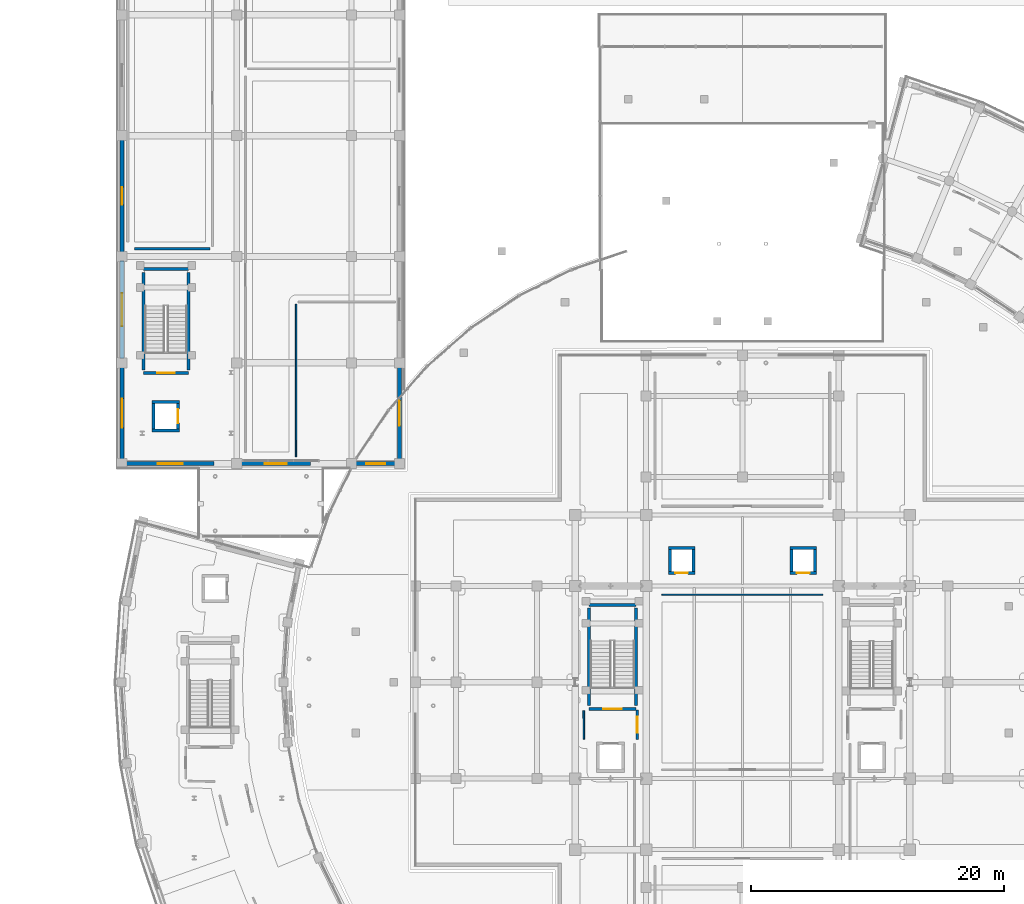
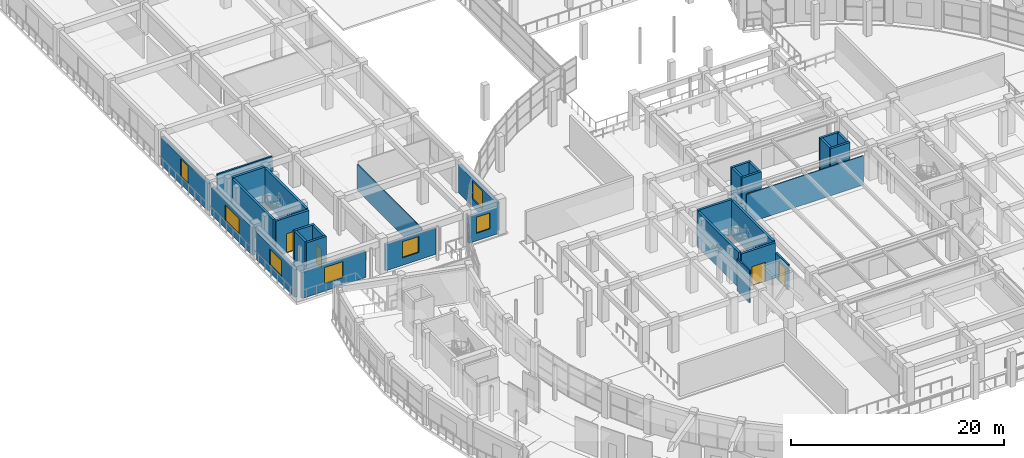
# One storey, part 60 of 87: 32 walls, 7 windows, 6 doors, 13 openings.
"""IFC4 building model written with IfcOpenShell, lengths in metres."""

from ifc_helpers import new_model, si_unit, direction, frame, frame_2d, origin, place, context, subcontext, project, spatial, rectangle, extrude, material, layer, layer_set, type_object, element, fill, save


model = new_model("IFC4")

# Units and contexts
model_context = context("Model", 3, precision=1e-05, world=origin(), true_north=direction((0.0, 1.0)))
body_context = subcontext(model_context, "Body", "Model", "MODEL_VIEW")
ifc_project = project(units=[si_unit("LENGTHUNIT", "METRE"), si_unit("AREAUNIT", "SQUARE_METRE"), si_unit("VOLUMEUNIT", "CUBIC_METRE"), si_unit("PLANEANGLEUNIT", "RADIAN"), si_unit("MASSUNIT", "GRAM", prefix="KILO")], contexts=[model_context])

# Site, building, storey
site_placement = place(None, origin())
site = spatial("IfcSite", under=ifc_project, at=site_placement, CompositionType="ELEMENT")
building_placement = place(site_placement, origin())
building = spatial("IfcBuilding", under=site, at=building_placement, Name="Saryqyr Civic Hall", CompositionType="ELEMENT")
storey_placement = place(building_placement, frame((0.0, 0.0, 5.10009765625)))
storey = spatial("IfcBuildingStorey", under=building, at=storey_placement, Name="L01", CompositionType="ELEMENT", Elevation=5.10009765625)

# Wall, opening, window
ifc_material_1 = material(Name="Precast concrete C40/50", Category="concrete")
ifc_layer_1 = layer(ifc_material_1, 0.31005859375, Name="Precast concrete C40/50")
ifc_layer_set_1 = layer_set([ifc_layer_1], Name="Precast concrete C40/50")
wall_type_1 = type_object("IfcWallType", Name="ENV-WAL-EXT-310", PredefinedType="STANDARD", material=ifc_layer_set_1)
wall_1_placement = place(storey_placement, frame((29.614990234375, 101.25, 0.0), z_axis=(0.0, 0.0, 1.0), x_axis=(-1.0, 0.0, 0.0)))
wall_1 = element("IfcWall", 1, at=wall_1_placement, inside=storey, type_object=wall_type_1, Name="Exterior wall V3-EW-L01-0-0", PredefinedType="STANDARD", context=body_context, shape_type="SweptSolid", body=[
    extrude(rectangle(XDim=3.1298828125, YDim=0.31005859375, at=frame_2d((1.56494140625, 0.0))), origin(), (0.0, 0.0, 1.0), 2.994873046875),
])
opening_1_placement = place(wall_1_placement, frame((0.81494140625, 0.0, 0.85009765625)))
opening_1 = element("IfcOpeningElement", 2, at=opening_1_placement, cuts=wall_1, Name="Opening W-26", PredefinedType="OPENING", context=body_context, shape_type="SweptSolid", body=[
    extrude(rectangle(XDim=1.5, YDim=1.85009765625, at=frame_2d((0.75, 0.925048828125))), frame((0.0, 0.1650390625, 0.0), z_axis=(0.0, -1.0, 0.0), x_axis=(1.0, 0.0, 0.0)), (0.0, 0.0, 1.0), 0.330078125),
])
ifc_material_2 = material(Name="Anodised aluminium and triple low-E glass", Category="aluminium")
window_type_1 = type_object("IfcWindowType", Name="ENV-WIN-W26", PartitioningType="SINGLE_PANEL", PredefinedType="WINDOW", material=ifc_material_2)
window_1_placement = place(opening_1_placement, origin())
window_1 = element("IfcWindow", 3, at=window_1_placement, inside=storey, type_object=window_type_1, Name="Library window L01-0-0", OverallHeight=1.85009765625, OverallWidth=1.5, PartitioningType="SINGLE_PANEL", PredefinedType="WINDOW", context=body_context, shape_type="SweptSolid", body=[
    extrude(rectangle(XDim=1.5, YDim=1.85009765625, at=frame_2d((0.75, 0.925048828125))), frame((0.0, 0.030029296875, 0.0), z_axis=(0.0, -1.0, 0.0), x_axis=(1.0, 0.0, 0.0)), (0.0, 0.0, 1.0), 0.06005859375),
])
fill(opening_1, window_1)

wall_2_placement = place(storey_placement, frame((22.919921875, 101.25, 0.0), z_axis=(0.0, 0.0, 1.0), x_axis=(-1.0, 0.0, 0.0)))
wall_2 = element("IfcWall", 4, at=wall_2_placement, inside=storey, type_object=wall_type_1, Name="Exterior wall V3-EW-L01-0-1", PredefinedType="STANDARD", context=body_context, shape_type="SweptSolid", body=[
    extrude(rectangle(XDim=5.48486328125, YDim=0.31005859375, at=frame_2d((2.742431640625, 0.0))), origin(), (0.0, 0.0, 1.0), 2.994873046875),
])
opening_2_placement = place(wall_2_placement, frame((1.867919921875, 0.0, 0.85009765625)))
opening_2 = element("IfcOpeningElement", 5, at=opening_2_placement, cuts=wall_2, Name="Opening W-27", PredefinedType="OPENING", context=body_context, shape_type="SweptSolid", body=[
    extrude(rectangle(XDim=1.75, YDim=1.85009765625, at=frame_2d((0.875, 0.925048828125))), frame((0.0, 0.1650390625, 0.0), z_axis=(0.0, -1.0, 0.0), x_axis=(1.0, 0.0, 0.0)), (0.0, 0.0, 1.0), 0.330078125),
])
window_type_2 = type_object("IfcWindowType", Name="ENV-WIN-W27", PartitioningType="SINGLE_PANEL", PredefinedType="WINDOW", material=ifc_material_2)
window_2_placement = place(opening_2_placement, origin())
window_2 = element("IfcWindow", 6, at=window_2_placement, inside=storey, type_object=window_type_2, Name="Library window L01-0-1", OverallHeight=1.85009765625, OverallWidth=1.75, PartitioningType="SINGLE_PANEL", PredefinedType="WINDOW", context=body_context, shape_type="SweptSolid", body=[
    extrude(rectangle(XDim=1.75, YDim=1.85009765625, at=frame_2d((0.875, 0.925048828125))), frame((0.0, 0.030029296875, 0.0), z_axis=(0.0, -1.0, 0.0), x_axis=(1.0, 0.0, 0.0)), (0.0, 0.0, 1.0), 0.06005859375),
])
fill(opening_2, window_2)

wall_3_placement = place(storey_placement, frame((15.320068359375, 101.25, 0.0), z_axis=(0.0, 0.0, 1.0), x_axis=(-1.0, 0.0, 0.0)))
wall_3 = element("IfcWall", 7, at=wall_3_placement, inside=storey, type_object=wall_type_1, Name="Exterior wall V3-EW-L01-0-2", PredefinedType="STANDARD", context=body_context, shape_type="SweptSolid", body=[
    extrude(rectangle(XDim=6.93505859375, YDim=0.31005859375, at=frame_2d((3.467529296875, 0.0))), origin(), (0.0, 0.0, 1.0), 2.994873046875),
])
opening_3_placement = place(wall_3_placement, frame((2.468017578125, 0.0, 0.85009765625)))
opening_3 = element("IfcOpeningElement", 8, at=opening_3_placement, cuts=wall_3, Name="Opening W-28", PredefinedType="OPENING", context=body_context, shape_type="SweptSolid", body=[
    extrude(rectangle(XDim=2.0, YDim=1.85009765625, at=frame_2d((1.0, 0.925048828125))), frame((0.0, 0.1650390625, 0.0), z_axis=(0.0, -1.0, 0.0), x_axis=(1.0, 0.0, 0.0)), (0.0, 0.0, 1.0), 0.330078125),
])
window_type_3 = type_object("IfcWindowType", Name="ENV-WIN-W28", PartitioningType="SINGLE_PANEL", PredefinedType="WINDOW", material=ifc_material_2)
window_3_placement = place(opening_3_placement, origin())
window_3 = element("IfcWindow", 9, at=window_3_placement, inside=storey, type_object=window_type_3, Name="Library window L01-0-2", OverallHeight=1.85009765625, OverallWidth=2.0, PartitioningType="SINGLE_PANEL", PredefinedType="WINDOW", context=body_context, shape_type="SweptSolid", body=[
    extrude(rectangle(XDim=2.0, YDim=1.85009765625, at=frame_2d((1.0, 0.925048828125))), frame((0.0, 0.030029296875, 0.0), z_axis=(0.0, -1.0, 0.0), x_axis=(1.0, 0.0, 0.0)), (0.0, 0.0, 1.0), 0.06005859375),
])
fill(opening_3, window_3)

wall_4_placement = place(storey_placement, frame((29.949951171875, 108.864990234375, 0.0), z_axis=(0.0, 0.0, 1.0), x_axis=(0.0, -1.0, 0.0)))
wall_4 = element("IfcWall", 10, at=wall_4_placement, inside=storey, type_object=wall_type_1, Name="Exterior wall V3-EW-L01-1-6", PredefinedType="STANDARD", context=body_context, shape_type="SweptSolid", body=[
    extrude(rectangle(XDim=7.280029296875, YDim=0.31005859375, at=frame_2d((3.64013671875, 0.0))), origin(), (0.0, 0.0, 1.0), 3.14501953125),
])
opening_4_placement = place(wall_4_placement, frame((2.639892578125, 0.0, 0.85009765625)))
opening_4 = element("IfcOpeningElement", 11, at=opening_4_placement, cuts=wall_4, Name="Opening W-33", PredefinedType="OPENING", context=body_context, shape_type="SweptSolid", body=[
    extrude(rectangle(XDim=2.0, YDim=2.050048828125, at=frame_2d((1.0, 1.02490234375))), frame((0.0, 0.1650390625, 0.0), z_axis=(0.0, -1.0, 0.0), x_axis=(1.0, 0.0, 0.0)), (0.0, 0.0, 1.0), 0.330078125),
])
window_type_4 = type_object("IfcWindowType", Name="ENV-WIN-W33", PartitioningType="SINGLE_PANEL", PredefinedType="WINDOW", material=ifc_material_2)
window_4_placement = place(opening_4_placement, origin())
window_4 = element("IfcWindow", 12, at=window_4_placement, inside=storey, type_object=window_type_4, Name="Library window L01-1-6", OverallHeight=2.050048828125, OverallWidth=2.0, PartitioningType="SINGLE_PANEL", PredefinedType="WINDOW", context=body_context, shape_type="SweptSolid", body=[
    extrude(rectangle(XDim=2.0, YDim=2.050048828125, at=frame_2d((1.0, 1.02490234375))), frame((0.0, 0.030029296875, 0.0), z_axis=(0.0, -1.0, 0.0), x_axis=(1.0, 0.0, 0.0)), (0.0, 0.0, 1.0), 0.06005859375),
])
fill(opening_4, window_4)

wall_5_placement = place(storey_placement, frame((8.050048828125, 101.5849609375, 0.0), z_axis=(0.0, 0.0, 1.0), x_axis=(0.0, 1.0, 0.0)))
wall_5 = element("IfcWall", 13, at=wall_5_placement, inside=storey, type_object=wall_type_1, Name="Exterior wall V3-EW-L01-3-0", PredefinedType="STANDARD", context=body_context, shape_type="SweptSolid", body=[
    extrude(rectangle(XDim=7.280029296875, YDim=0.31005859375, at=frame_2d((3.64013671875, 0.0))), origin(), (0.0, 0.0, 1.0), 3.14501953125),
])
opening_5_placement = place(wall_5_placement, frame((2.489990234375, 0.0, 0.85009765625)))
opening_5 = element("IfcOpeningElement", 14, at=opening_5_placement, cuts=wall_5, Name="Opening W-29", PredefinedType="OPENING", context=body_context, shape_type="SweptSolid", body=[
    extrude(rectangle(XDim=2.300048828125, YDim=1.85009765625, at=frame_2d((1.14990234375, 0.925048828125))), frame((0.0, 0.1650390625, 0.0), z_axis=(0.0, -1.0, 0.0), x_axis=(1.0, 0.0, 0.0)), (0.0, 0.0, 1.0), 0.330078125),
])
window_type_5 = type_object("IfcWindowType", Name="ENV-WIN-W29", PartitioningType="SINGLE_PANEL", PredefinedType="WINDOW", material=ifc_material_2)
window_5_placement = place(opening_5_placement, origin())
window_5 = element("IfcWindow", 15, at=window_5_placement, inside=storey, type_object=window_type_5, Name="Library window L01-3-0", OverallHeight=1.85009765625, OverallWidth=2.300048828125, PartitioningType="SINGLE_PANEL", PredefinedType="WINDOW", context=body_context, shape_type="SweptSolid", body=[
    extrude(rectangle(XDim=2.300048828125, YDim=1.85009765625, at=frame_2d((1.14990234375, 0.925048828125))), frame((0.0, 0.030029296875, 0.0), z_axis=(0.0, -1.0, 0.0), x_axis=(1.0, 0.0, 0.0)), (0.0, 0.0, 1.0), 0.06005859375),
])
fill(opening_5, window_5)

wall_6_placement = place(storey_placement, frame((8.050048828125, 109.534912109375, 0.0), z_axis=(0.0, 0.0, 1.0), x_axis=(0.0, 1.0, 0.0)))
wall_6 = element("IfcWall", 16, at=wall_6_placement, inside=storey, type_object=wall_type_1, Name="Exterior wall V3-EW-L01-3-1", PredefinedType="STANDARD", context=body_context, shape_type="SweptSolid", body=[
    extrude(rectangle(XDim=7.72998046875, YDim=0.31005859375, at=frame_2d((3.864990234375, 0.0))), origin(), (0.0, 0.0, 1.0), 3.14501953125),
])
opening_6_placement = place(wall_6_placement, frame((2.56494140625, 0.0, 0.85009765625)))
opening_6 = element("IfcOpeningElement", 17, at=opening_6_placement, cuts=wall_6, Name="Opening W-30", PredefinedType="OPENING", context=body_context, shape_type="SweptSolid", body=[
    extrude(rectangle(XDim=2.60009765625, YDim=1.85009765625, at=frame_2d((1.300048828125, 0.925048828125))), frame((0.0, 0.1650390625, 0.0), z_axis=(0.0, -1.0, 0.0), x_axis=(1.0, 0.0, 0.0)), (0.0, 0.0, 1.0), 0.330078125),
])
window_type_6 = type_object("IfcWindowType", Name="ENV-WIN-W30", PartitioningType="SINGLE_PANEL", PredefinedType="WINDOW", material=ifc_material_2)
window_6_placement = place(opening_6_placement, origin())
window_6 = element("IfcWindow", 18, at=window_6_placement, inside=storey, type_object=window_type_6, Name="Library window L01-3-1", OverallHeight=1.85009765625, OverallWidth=2.60009765625, PartitioningType="SINGLE_PANEL", PredefinedType="WINDOW", context=body_context, shape_type="SweptSolid", body=[
    extrude(rectangle(XDim=2.60009765625, YDim=1.85009765625, at=frame_2d((1.300048828125, 0.925048828125))), frame((0.0, 0.030029296875, 0.0), z_axis=(0.0, -1.0, 0.0), x_axis=(1.0, 0.0, 0.0)), (0.0, 0.0, 1.0), 0.06005859375),
])
fill(opening_6, window_6)

wall_7_placement = place(storey_placement, frame((8.050048828125, 117.93505859375, 0.0), z_axis=(0.0, 0.0, 1.0), x_axis=(0.0, 1.0, 0.0)))
wall_7 = element("IfcWall", 19, at=wall_7_placement, inside=storey, type_object=wall_type_1, Name="Exterior wall V3-EW-L01-3-2", PredefinedType="STANDARD", context=body_context, shape_type="SweptSolid", body=[
    extrude(rectangle(XDim=8.85986328125, YDim=0.31005859375, at=frame_2d((4.429931640625, 0.0))), origin(), (0.0, 0.0, 1.0), 3.14501953125),
])
opening_7_placement = place(wall_7_placement, frame((3.72998046875, 0.0, 0.85009765625)))
opening_7 = element("IfcOpeningElement", 20, at=opening_7_placement, cuts=wall_7, Name="Opening W-31", PredefinedType="OPENING", context=body_context, shape_type="SweptSolid", body=[
    extrude(rectangle(XDim=1.39990234375, YDim=2.050048828125, at=frame_2d((0.699951171875, 1.02490234375))), frame((0.0, 0.1650390625, 0.0), z_axis=(0.0, -1.0, 0.0), x_axis=(1.0, 0.0, 0.0)), (0.0, 0.0, 1.0), 0.330078125),
])
window_type_7 = type_object("IfcWindowType", Name="ENV-WIN-W31", PartitioningType="SINGLE_PANEL", PredefinedType="WINDOW", material=ifc_material_2)
window_7_placement = place(opening_7_placement, origin())
window_7 = element("IfcWindow", 21, at=window_7_placement, inside=storey, type_object=window_type_7, Name="Library window L01-3-2", OverallHeight=2.050048828125, OverallWidth=1.39990234375, PartitioningType="SINGLE_PANEL", PredefinedType="WINDOW", context=body_context, shape_type="SweptSolid", body=[
    extrude(rectangle(XDim=1.39990234375, YDim=2.050048828125, at=frame_2d((0.699951171875, 1.02490234375))), frame((0.0, 0.030029296875, 0.0), z_axis=(0.0, -1.0, 0.0), x_axis=(1.0, 0.0, 0.0)), (0.0, 0.0, 1.0), 0.06005859375),
])
fill(opening_7, window_7)

# Wall, opening, door
ifc_material_3 = material(Name="Autoclaved aerated concrete blockwork", Category="masonry")
ifc_layer_2 = layer(ifc_material_3, 0.199951171875, Name="Autoclaved aerated concrete blockwork")
ifc_layer_set_2 = layer_set([ifc_layer_2], Name="Autoclaved aerated concrete blockwork")
wall_type_2 = type_object("IfcWallType", Name="INT-WAL-FIR-200", PredefinedType="PARTITIONING", material=ifc_layer_set_2)
wall_8_placement = place(storey_placement, frame((48.699951171875, 81.800048828125, 0.0), z_axis=(0.0, 0.0, 1.0), x_axis=(0.0, -1.0, 0.0)))
wall_8 = element("IfcWall", 22, at=wall_8_placement, inside=storey, type_object=wall_type_2, Name="Firefighting lift lobby enclosure wall LF-01 L01", PredefinedType="PARTITIONING", context=body_context, shape_type="SweptSolid", body=[
    extrude(rectangle(XDim=2.300048828125, YDim=0.199951171875, at=frame_2d((1.14990234375, 0.0))), origin(), (0.0, 0.0, 1.0), 2.89990234375),
])
opening_8_placement = place(wall_8_placement, frame((0.5, 0.0, 0.0)))
opening_8 = element("IfcOpeningElement", 23, at=opening_8_placement, cuts=wall_8, Name="Opening FD-01", PredefinedType="OPENING", context=body_context, shape_type="SweptSolid", body=[
    extrude(rectangle(XDim=1.300048828125, YDim=2.199951171875, at=frame_2d((0.64990234375, 1.10009765625))), frame((0.0, 0.10986328125, 0.0), z_axis=(0.0, -1.0, 0.0), x_axis=(1.0, 0.0, 0.0)), (0.0, 0.0, 1.0), 0.219970703125),
])
ifc_material_4 = material(Name="Painted galvanized steel", Category="steel")
door_type_1 = type_object("IfcDoorType", Name="INT-DR-FFLOB-1300x2200", OperationType="NOTDEFINED", PredefinedType="DOOR", material=ifc_material_4)
door_1_placement = place(opening_8_placement, origin())
door_1 = element("IfcDoor", 24, at=door_1_placement, inside=storey, type_object=door_type_1, Name="Firefighting lift lobby smoke-control door LF-01 L01", OperationType="SINGLE_SWING_LEFT", OverallHeight=2.199951171875, OverallWidth=1.300048828125, PredefinedType="DOOR", context=body_context, shape_type="SweptSolid", body=[
    extrude(rectangle(XDim=1.300048828125, YDim=2.199951171875, at=frame_2d((0.64990234375, 1.10009765625))), frame((0.0, 0.02490234375, 0.0), z_axis=(0.0, -1.0, 0.0), x_axis=(1.0, 0.0, 0.0)), (0.0, 0.0, 1.0), 0.050048828125),
])
fill(opening_8, door_1)

# Walls
ifc_material_5 = material(Name="Lightweight demountable partition", Category="gypsum")
ifc_layer_3 = layer(ifc_material_5, 0.094970703125, Name="Lightweight demountable partition")
ifc_layer_set_3 = layer_set([ifc_layer_3], Name="Lightweight demountable partition")
wall_type_3 = type_object("IfcWallType", Name="INT-WAL-PRT-095", PredefinedType="PARTITIONING", material=ifc_layer_set_3)
wall_9_placement = place(storey_placement, frame((50.64990234375, 90.89990234375, 0.0), z_axis=(0.0, 0.0, 1.0), x_axis=(1.0, 0.0, 0.0)))
element("IfcWall", 25, at=wall_9_placement, inside=storey, type_object=wall_type_3, Name="Interior partition PRT-SP-V1-L01-R01-W2", PredefinedType="PARTITIONING", context=body_context, shape_type="SweptSolid", body=[
    extrude(rectangle(XDim=12.7001953125, YDim=0.094970703125, at=frame_2d((6.35009765625, 0.0))), origin(), (0.0, 0.0, 1.0), 3.344970703125),
])
ifc_material_6 = material(Name="Moisture-resistant gypsum partition", Category="gypsum")
ifc_layer_4 = layer(ifc_material_6, 0.110107421875, Name="Moisture-resistant gypsum partition")
ifc_layer_set_4 = layer_set([ifc_layer_4], Name="Moisture-resistant gypsum partition")
wall_type_4 = type_object("IfcWallType", Name="INT-WAL-PRT-110", PredefinedType="PARTITIONING", material=ifc_layer_set_4)
wall_10_placement = place(storey_placement, frame((21.780029296875, 101.780029296875, 0.0), z_axis=(0.0, 0.0, 1.0), x_axis=(0.000263365806, 0.999999965319, 0.0)))
element("IfcWall", 26, at=wall_10_placement, inside=storey, type_object=wall_type_4, Name="Interior partition PRT-SP-V3-L01-R01-W3", PredefinedType="PARTITIONING", context=body_context, shape_type="SweptSolid", body=[
    extrude(rectangle(XDim=12.051025390625, YDim=0.110107421875, at=frame_2d((6.025390625, 0.0))), origin(), (0.0, 0.0, 1.0), 2.994873046875),
])
ifc_material_7 = material(Name="Metal-stud gypsum board partition", Category="gypsum")
ifc_layer_5 = layer(ifc_material_7, 0.125, Name="Metal-stud gypsum board partition")
ifc_layer_set_5 = layer_set([ifc_layer_5], Name="Metal-stud gypsum board partition")
wall_type_5 = type_object("IfcWallType", Name="INT-WAL-PRT-125", PredefinedType="PARTITIONING", material=ifc_layer_set_5)
wall_11_placement = place(storey_placement, frame((44.480712890625, 81.77001953125, 0.0), z_axis=(0.0, 0.0, 1.0), x_axis=(0.003353870567, -0.99999437576, 0.0)))
element("IfcWall", 27, at=wall_11_placement, inside=storey, type_object=wall_type_5, Name="Interior partition PRT-SP-V2-L01-WGAL-W3", PredefinedType="PARTITIONING", context=body_context, shape_type="SweptSolid", body=[
    extrude(rectangle(XDim=2.256591796875, YDim=0.125, at=frame_2d((1.12841796875, 0.0))), origin(), (0.0, 0.0, 1.0), 3.679931640625),
])
ifc_material_8 = material(Name="Acoustic double-stud gypsum board", Category="gypsum")
ifc_layer_6 = layer(ifc_material_8, 0.169921875, Name="Acoustic double-stud gypsum board")
ifc_layer_set_6 = layer_set([ifc_layer_6], Name="Acoustic double-stud gypsum board")
wall_type_6 = type_object("IfcWallType", Name="INT-WAL-PRT-170", PredefinedType="PARTITIONING", material=ifc_layer_set_6)
wall_12_placement = place(storey_placement, frame((15.0, 118.199951171875, 0.0), z_axis=(0.0, 0.0, 1.0), x_axis=(-1.0, 0.0, 0.0)))
element("IfcWall", 28, at=wall_12_placement, inside=storey, type_object=wall_type_6, Name="Interior partition PRT-SP-V3-L01-R03-W3", PredefinedType="PARTITIONING", context=body_context, shape_type="SweptSolid", body=[
    extrude(rectangle(XDim=5.949951171875, YDim=0.169921875, at=frame_2d((2.97509765625, 0.0))), origin(), (0.0, 0.0, 1.0), 3.679931640625),
])

# Wall, opening, door
ifc_material_9 = material(Name="Concrete C40/50", Category="concrete")
ifc_layer_7 = layer(ifc_material_9, 0.239990234375, Name="Concrete C40/50")
ifc_layer_set_7 = layer_set([ifc_layer_7], Name="Concrete C40/50")
wall_type_7 = type_object("IfcWallType", Name="INT-WAL-SHR-240", PredefinedType="SHEAR", material=ifc_layer_set_7)
wall_13_placement = place(storey_placement, frame((53.25, 92.6201171875, 0.0), z_axis=(0.0, 0.0, 1.0), x_axis=(-1.0, 0.0, 0.0)))
wall_13 = element("IfcWall", 29, at=wall_13_placement, inside=storey, type_object=wall_type_7, Name="Lift shaft shear wall LF-03-SHW-S-L01", PredefinedType="SHEAR", context=body_context, shape_type="SweptSolid", body=[
    extrude(rectangle(XDim=2.10009765625, YDim=0.239990234375, at=frame_2d((1.050048828125, 0.0))), origin(), (0.0, 0.0, 1.0), 4.0498046875),
])
opening_9_placement = place(wall_13_placement, frame((0.550048828125, 0.0, 0.0)))
opening_9 = element("IfcOpeningElement", 30, at=opening_9_placement, cuts=wall_13, Name="Opening LD-02", PredefinedType="OPENING", context=body_context, shape_type="SweptSolid", body=[
    extrude(rectangle(XDim=1.0, YDim=2.14990234375, at=frame_2d((0.5, 1.074951171875))), frame((0.0, 0.1298828125, 0.0), z_axis=(0.0, -1.0, 0.0), x_axis=(1.0, 0.0, 0.0)), (0.0, 0.0, 1.0), 0.260009765625),
])
ifc_material_10 = material(Name="Brushed stainless steel", Category="steel")
door_type_2 = type_object("IfcDoorType", Name="INT-DR-LD-1000x2150", OperationType="NOTDEFINED", PredefinedType="DOOR", material=ifc_material_10)
door_2_placement = place(opening_9_placement, origin())
door_2 = element("IfcDoor", 31, at=door_2_placement, inside=storey, type_object=door_type_2, Name="Lift sliding landing door LF-03 L01", OperationType="SLIDING_TO_LEFT", OverallHeight=2.14990234375, OverallWidth=1.0, PredefinedType="DOOR", context=body_context, shape_type="SweptSolid", body=[
    extrude(rectangle(XDim=1.0, YDim=2.14990234375, at=frame_2d((0.5, 1.074951171875))), frame((0.0, 0.02490234375, 0.0), z_axis=(0.0, -1.0, 0.0), x_axis=(1.0, 0.0, 0.0)), (0.0, 0.0, 1.0), 0.050048828125),
])
fill(opening_9, door_2)

# Walls
wall_14_placement = place(storey_placement, frame((53.1298828125, 94.4599609375, 0.0), z_axis=(0.0, 0.0, 1.0), x_axis=(0.0, -1.0, 0.0)))
element("IfcWall", 32, at=wall_14_placement, inside=storey, type_object=wall_type_7, Name="Lift shaft shear wall LF-03-SHW-E-L01", PredefinedType="SHEAR", context=body_context, shape_type="SweptSolid", body=[
    extrude(rectangle(XDim=1.719970703125, YDim=0.239990234375, at=frame_2d((0.85986328125, 0.0))), origin(), (0.0, 0.0, 1.0), 4.0498046875),
])
wall_15_placement = place(storey_placement, frame((51.14990234375, 94.580078125, 0.0), z_axis=(0.0, 0.0, 1.0), x_axis=(1.0, 0.0, 0.0)))
element("IfcWall", 33, at=wall_15_placement, inside=storey, type_object=wall_type_7, Name="Lift shaft shear wall LF-03-SHW-N-L01", PredefinedType="SHEAR", context=body_context, shape_type="SweptSolid", body=[
    extrude(rectangle(XDim=2.10009765625, YDim=0.239990234375, at=frame_2d((1.050048828125, 0.0))), origin(), (0.0, 0.0, 1.0), 4.0498046875),
])
wall_16_placement = place(storey_placement, frame((51.27001953125, 92.739990234375, 0.0), z_axis=(0.0, 0.0, 1.0), x_axis=(0.0, 1.0, 0.0)))
element("IfcWall", 34, at=wall_16_placement, inside=storey, type_object=wall_type_7, Name="Lift shaft shear wall LF-03-SHW-W-L01", PredefinedType="SHEAR", context=body_context, shape_type="SweptSolid", body=[
    extrude(rectangle(XDim=1.719970703125, YDim=0.239990234375, at=frame_2d((0.85986328125, 0.0))), origin(), (0.0, 0.0, 1.0), 4.0498046875),
])

# Wall, opening, door
wall_17_placement = place(storey_placement, frame((62.85009765625, 92.6201171875, 0.0), z_axis=(0.0, 0.0, 1.0), x_axis=(-1.0, 0.0, 0.0)))
wall_17 = element("IfcWall", 35, at=wall_17_placement, inside=storey, type_object=wall_type_7, Name="Lift shaft shear wall LF-04-SHW-S-L01", PredefinedType="SHEAR", context=body_context, shape_type="SweptSolid", body=[
    extrude(rectangle(XDim=2.10009765625, YDim=0.239990234375, at=frame_2d((1.050048828125, 0.0))), origin(), (0.0, 0.0, 1.0), 4.0498046875),
])
opening_10_placement = place(wall_17_placement, frame((0.550048828125, 0.0, 0.0)))
opening_10 = element("IfcOpeningElement", 36, at=opening_10_placement, cuts=wall_17, Name="Opening LD-02", PredefinedType="OPENING", context=body_context, shape_type="SweptSolid", body=[
    extrude(rectangle(XDim=1.0, YDim=2.14990234375, at=frame_2d((0.5, 1.074951171875))), frame((0.0, 0.1298828125, 0.0), z_axis=(0.0, -1.0, 0.0), x_axis=(1.0, 0.0, 0.0)), (0.0, 0.0, 1.0), 0.260009765625),
])
door_3_placement = place(opening_10_placement, origin())
door_3 = element("IfcDoor", 37, at=door_3_placement, inside=storey, type_object=door_type_2, Name="Lift sliding landing door LF-04 L01", OperationType="SLIDING_TO_RIGHT", OverallHeight=2.14990234375, OverallWidth=1.0, PredefinedType="DOOR", context=body_context, shape_type="SweptSolid", body=[
    extrude(rectangle(XDim=1.0, YDim=2.14990234375, at=frame_2d((0.5, 1.074951171875))), frame((0.0, 0.02490234375, 0.0), z_axis=(0.0, -1.0, 0.0), x_axis=(1.0, 0.0, 0.0)), (0.0, 0.0, 1.0), 0.050048828125),
])
fill(opening_10, door_3)

# Walls
wall_18_placement = place(storey_placement, frame((62.72998046875, 94.4599609375, 0.0), z_axis=(0.0, 0.0, 1.0), x_axis=(0.0, -1.0, 0.0)))
element("IfcWall", 38, at=wall_18_placement, inside=storey, type_object=wall_type_7, Name="Lift shaft shear wall LF-04-SHW-E-L01", PredefinedType="SHEAR", context=body_context, shape_type="SweptSolid", body=[
    extrude(rectangle(XDim=1.719970703125, YDim=0.239990234375, at=frame_2d((0.85986328125, 0.0))), origin(), (0.0, 0.0, 1.0), 4.0498046875),
])
wall_19_placement = place(storey_placement, frame((60.75, 94.580078125, 0.0), z_axis=(0.0, 0.0, 1.0), x_axis=(1.0, 0.0, 0.0)))
element("IfcWall", 39, at=wall_19_placement, inside=storey, type_object=wall_type_7, Name="Lift shaft shear wall LF-04-SHW-N-L01", PredefinedType="SHEAR", context=body_context, shape_type="SweptSolid", body=[
    extrude(rectangle(XDim=2.10009765625, YDim=0.239990234375, at=frame_2d((1.050048828125, 0.0))), origin(), (0.0, 0.0, 1.0), 4.0498046875),
])
wall_20_placement = place(storey_placement, frame((60.8701171875, 92.739990234375, 0.0), z_axis=(0.0, 0.0, 1.0), x_axis=(0.0, 1.0, 0.0)))
element("IfcWall", 40, at=wall_20_placement, inside=storey, type_object=wall_type_7, Name="Lift shaft shear wall LF-04-SHW-W-L01", PredefinedType="SHEAR", context=body_context, shape_type="SweptSolid", body=[
    extrude(rectangle(XDim=1.719970703125, YDim=0.239990234375, at=frame_2d((0.85986328125, 0.0))), origin(), (0.0, 0.0, 1.0), 4.0498046875),
])
wall_21_placement = place(storey_placement, frame((12.60009765625, 103.8701171875, 0.0), z_axis=(0.0, 0.0, 1.0), x_axis=(-1.0, 0.0, 0.0)))
element("IfcWall", 41, at=wall_21_placement, inside=storey, type_object=wall_type_7, Name="Lift shaft shear wall LF-05-SHW-S-L01", PredefinedType="SHEAR", context=body_context, shape_type="SweptSolid", body=[
    extrude(rectangle(XDim=2.2001953125, YDim=0.239990234375, at=frame_2d((1.10009765625, 0.0))), origin(), (0.0, 0.0, 1.0), 4.0498046875),
])

# Wall, opening, door
wall_22_placement = place(storey_placement, frame((12.47998046875, 106.010009765625, 0.0), z_axis=(0.0, 0.0, 1.0), x_axis=(0.0, -1.0, 0.0)))
wall_22 = element("IfcWall", 42, at=wall_22_placement, inside=storey, type_object=wall_type_7, Name="Lift shaft shear wall LF-05-SHW-E-L01", PredefinedType="SHEAR", context=body_context, shape_type="SweptSolid", body=[
    extrude(rectangle(XDim=2.02001953125, YDim=0.239990234375, at=frame_2d((1.010009765625, 0.0))), origin(), (0.0, 0.0, 1.0), 4.0498046875),
])
opening_11_placement = place(wall_22_placement, frame((0.4599609375, 0.0, 0.0)))
opening_11 = element("IfcOpeningElement", 43, at=opening_11_placement, cuts=wall_22, Name="Opening LD-01", PredefinedType="OPENING", context=body_context, shape_type="SweptSolid", body=[
    extrude(rectangle(XDim=1.10009765625, YDim=2.14990234375, at=frame_2d((0.550048828125, 1.074951171875))), frame((0.0, 0.1298828125, 0.0), z_axis=(0.0, -1.0, 0.0), x_axis=(1.0, 0.0, 0.0)), (0.0, 0.0, 1.0), 0.260009765625),
])
door_type_3 = type_object("IfcDoorType", Name="INT-DR-LD-1100x2150", OperationType="NOTDEFINED", PredefinedType="DOOR", material=ifc_material_10)
door_4_placement = place(opening_11_placement, origin())
door_4 = element("IfcDoor", 44, at=door_4_placement, inside=storey, type_object=door_type_3, Name="Lift sliding landing door LF-05 L01", OperationType="SLIDING_TO_LEFT", OverallHeight=2.14990234375, OverallWidth=1.10009765625, PredefinedType="DOOR", context=body_context, shape_type="SweptSolid", body=[
    extrude(rectangle(XDim=1.10009765625, YDim=2.14990234375, at=frame_2d((0.550048828125, 1.074951171875))), frame((0.0, 0.02490234375, 0.0), z_axis=(0.0, -1.0, 0.0), x_axis=(1.0, 0.0, 0.0)), (0.0, 0.0, 1.0), 0.050048828125),
])
fill(opening_11, door_4)

# Walls
wall_23_placement = place(storey_placement, frame((10.39990234375, 106.1298828125, 0.0), z_axis=(0.0, 0.0, 1.0), x_axis=(1.0, 0.0, 0.0)))
element("IfcWall", 45, at=wall_23_placement, inside=storey, type_object=wall_type_7, Name="Lift shaft shear wall LF-05-SHW-N-L01", PredefinedType="SHEAR", context=body_context, shape_type="SweptSolid", body=[
    extrude(rectangle(XDim=2.2001953125, YDim=0.239990234375, at=frame_2d((1.10009765625, 0.0))), origin(), (0.0, 0.0, 1.0), 4.0498046875),
])
wall_24_placement = place(storey_placement, frame((10.52001953125, 103.989990234375, 0.0), z_axis=(0.0, 0.0, 1.0), x_axis=(0.0, 1.0, 0.0)))
element("IfcWall", 46, at=wall_24_placement, inside=storey, type_object=wall_type_7, Name="Lift shaft shear wall LF-05-SHW-W-L01", PredefinedType="SHEAR", context=body_context, shape_type="SweptSolid", body=[
    extrude(rectangle(XDim=2.02001953125, YDim=0.239990234375, at=frame_2d((1.010009765625, 0.0))), origin(), (0.0, 0.0, 1.0), 4.0498046875),
])

# Wall, opening, door
ifc_layer_8 = layer(ifc_material_9, 0.25, Name="Concrete C40/50")
ifc_layer_set_8 = layer_set([ifc_layer_8], Name="Concrete C40/50")
wall_type_8 = type_object("IfcWallType", Name="INT-WAL-SHR-250", PredefinedType="SHEAR", material=ifc_layer_set_8)
wall_25_placement = place(storey_placement, frame((48.60009765625, 81.89990234375, 0.0), z_axis=(0.0, 0.0, 1.0), x_axis=(-1.0, 0.0, 0.0)))
wall_25 = element("IfcWall", 47, at=wall_25_placement, inside=storey, type_object=wall_type_8, Name="Protected stair shaft wall ST-1-SW1-L01", PredefinedType="SHEAR", context=body_context, shape_type="SweptSolid", body=[
    extrude(rectangle(XDim=3.7001953125, YDim=0.25, at=frame_2d((1.85009765625, 0.0))), origin(), (0.0, 0.0, 1.0), 4.0498046875),
])
opening_12_placement = place(wall_25_placement, frame((1.125, 0.0, 0.0)))
opening_12 = element("IfcOpeningElement", 48, at=opening_12_placement, cuts=wall_25, Name="Opening SD-02", PredefinedType="OPENING", context=body_context, shape_type="SweptSolid", body=[
    extrude(rectangle(XDim=1.449951171875, YDim=2.199951171875, at=frame_2d((0.72509765625, 1.10009765625))), frame((0.0, 0.135009765625, 0.0), z_axis=(0.0, -1.0, 0.0), x_axis=(1.0, 0.0, 0.0)), (0.0, 0.0, 1.0), 0.27001953125),
])
door_type_4 = type_object("IfcDoorType", Name="INT-DR-STAIR-1450x2200", OperationType="NOTDEFINED", PredefinedType="DOOR", material=ifc_material_4)
door_5_placement = place(opening_12_placement, origin())
door_5 = element("IfcDoor", 49, at=door_5_placement, inside=storey, type_object=door_type_4, Name="Exit stair landing fire door ST-1-L01", OperationType="SINGLE_SWING_LEFT", OverallHeight=2.199951171875, OverallWidth=1.449951171875, PredefinedType="DOOR", context=body_context, shape_type="SweptSolid", body=[
    extrude(rectangle(XDim=1.449951171875, YDim=2.199951171875, at=frame_2d((0.72509765625, 1.10009765625))), frame((0.0, 0.02490234375, 0.0), z_axis=(0.0, -1.0, 0.0), x_axis=(1.0, 0.0, 0.0)), (0.0, 0.0, 1.0), 0.050048828125),
])
fill(opening_12, door_5)

# Walls
wall_26_placement = place(storey_placement, frame((44.89990234375, 82.14990234375, 0.0), z_axis=(0.0, 0.0, 1.0), x_axis=(0.0, 1.0, 0.0)))
element("IfcWall", 50, at=wall_26_placement, inside=storey, type_object=wall_type_8, Name="Protected stair shaft wall ST-1-SW2-L01", PredefinedType="SHEAR", context=body_context, shape_type="SweptSolid", body=[
    extrude(rectangle(XDim=7.7001953125, YDim=0.25, at=frame_2d((3.85009765625, 0.0))), origin(), (0.0, 0.0, 1.0), 4.0498046875),
])
wall_27_placement = place(storey_placement, frame((44.89990234375, 90.10009765625, 0.0), z_axis=(0.0, 0.0, 1.0), x_axis=(1.0, 0.0, 0.0)))
element("IfcWall", 51, at=wall_27_placement, inside=storey, type_object=wall_type_8, Name="Protected stair shaft wall ST-1-SW3-L01", PredefinedType="SHEAR", context=body_context, shape_type="SweptSolid", body=[
    extrude(rectangle(XDim=3.7001953125, YDim=0.25, at=frame_2d((1.85009765625, 0.0))), origin(), (0.0, 0.0, 1.0), 4.0498046875),
])
wall_28_placement = place(storey_placement, frame((48.60009765625, 89.85009765625, 0.0), z_axis=(0.0, 0.0, 1.0), x_axis=(0.0, -1.0, 0.0)))
element("IfcWall", 52, at=wall_28_placement, inside=storey, type_object=wall_type_8, Name="Protected stair shaft wall ST-1-SW4-L01", PredefinedType="SHEAR", context=body_context, shape_type="SweptSolid", body=[
    extrude(rectangle(XDim=7.7001953125, YDim=0.25, at=frame_2d((3.85009765625, 0.0))), origin(), (0.0, 0.0, 1.0), 4.0498046875),
])

# Wall, opening, door
wall_29_placement = place(storey_placement, frame((13.300048828125, 108.39990234375, 0.0), z_axis=(0.0, 0.0, 1.0), x_axis=(-1.0, 0.0, 0.0)))
wall_29 = element("IfcWall", 53, at=wall_29_placement, inside=storey, type_object=wall_type_8, Name="Protected stair shaft wall ST-3-SW1-L01", PredefinedType="SHEAR", context=body_context, shape_type="SweptSolid", body=[
    extrude(rectangle(XDim=3.56005859375, YDim=0.25, at=frame_2d((1.780029296875, 0.0))), origin(), (0.0, 0.0, 1.0), 4.0498046875),
])
opening_13_placement = place(wall_29_placement, frame((1.10498046875, 0.0, 0.0)))
opening_13 = element("IfcOpeningElement", 54, at=opening_13_placement, cuts=wall_29, Name="Opening SD-01", PredefinedType="OPENING", context=body_context, shape_type="SweptSolid", body=[
    extrude(rectangle(XDim=1.35009765625, YDim=2.199951171875, at=frame_2d((0.675048828125, 1.10009765625))), frame((0.0, 0.135009765625, 0.0), z_axis=(0.0, -1.0, 0.0), x_axis=(1.0, 0.0, 0.0)), (0.0, 0.0, 1.0), 0.27001953125),
])
door_type_5 = type_object("IfcDoorType", Name="INT-DR-STAIR-1350x2200", OperationType="NOTDEFINED", PredefinedType="DOOR", material=ifc_material_4)
door_6_placement = place(opening_13_placement, origin())
door_6 = element("IfcDoor", 55, at=door_6_placement, inside=storey, type_object=door_type_5, Name="Exit stair landing fire door ST-3-L01", OperationType="SINGLE_SWING_LEFT", OverallHeight=2.199951171875, OverallWidth=1.35009765625, PredefinedType="DOOR", context=body_context, shape_type="SweptSolid", body=[
    extrude(rectangle(XDim=1.35009765625, YDim=2.199951171875, at=frame_2d((0.675048828125, 1.10009765625))), frame((0.0, 0.02490234375, 0.0), z_axis=(0.0, -1.0, 0.0), x_axis=(1.0, 0.0, 0.0)), (0.0, 0.0, 1.0), 0.050048828125),
])
fill(opening_13, door_6)

# Walls
wall_30_placement = place(storey_placement, frame((9.739990234375, 108.64990234375, 0.0), z_axis=(0.0, 0.0, 1.0), x_axis=(0.0, 1.0, 0.0)))
element("IfcWall", 56, at=wall_30_placement, inside=storey, type_object=wall_type_8, Name="Protected stair shaft wall ST-3-SW2-L01", PredefinedType="SHEAR", context=body_context, shape_type="SweptSolid", body=[
    extrude(rectangle(XDim=7.7001953125, YDim=0.25, at=frame_2d((3.85009765625, 0.0))), origin(), (0.0, 0.0, 1.0), 4.0498046875),
])
wall_31_placement = place(storey_placement, frame((9.739990234375, 116.60009765625, 0.0), z_axis=(0.0, 0.0, 1.0), x_axis=(1.0, 0.0, 0.0)))
element("IfcWall", 57, at=wall_31_placement, inside=storey, type_object=wall_type_8, Name="Protected stair shaft wall ST-3-SW3-L01", PredefinedType="SHEAR", context=body_context, shape_type="SweptSolid", body=[
    extrude(rectangle(XDim=3.56005859375, YDim=0.25, at=frame_2d((1.780029296875, 0.0))), origin(), (0.0, 0.0, 1.0), 4.0498046875),
])
wall_32_placement = place(storey_placement, frame((13.300048828125, 116.35009765625, 0.0), z_axis=(0.0, 0.0, 1.0), x_axis=(0.0, -1.0, 0.0)))
element("IfcWall", 58, at=wall_32_placement, inside=storey, type_object=wall_type_8, Name="Protected stair shaft wall ST-3-SW4-L01", PredefinedType="SHEAR", context=body_context, shape_type="SweptSolid", body=[
    extrude(rectangle(XDim=7.7001953125, YDim=0.25, at=frame_2d((3.85009765625, 0.0))), origin(), (0.0, 0.0, 1.0), 4.0498046875),
])

save(model, "model.ifc")
